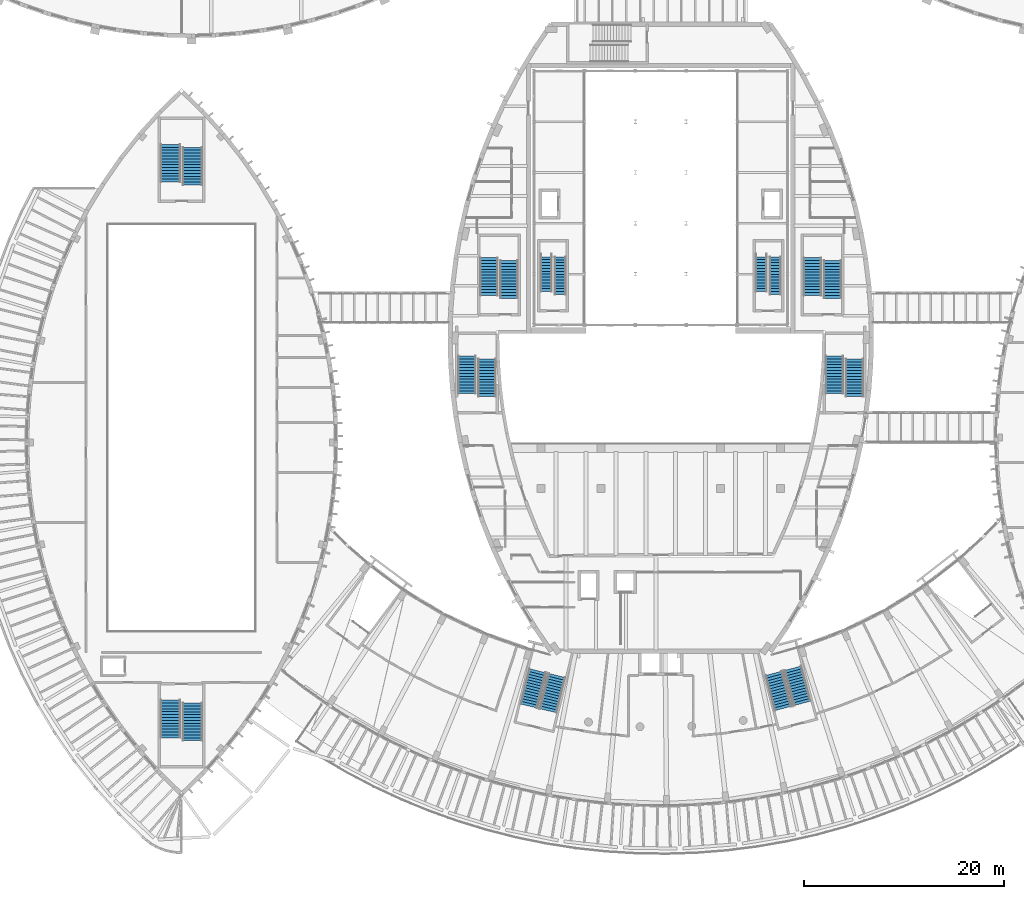
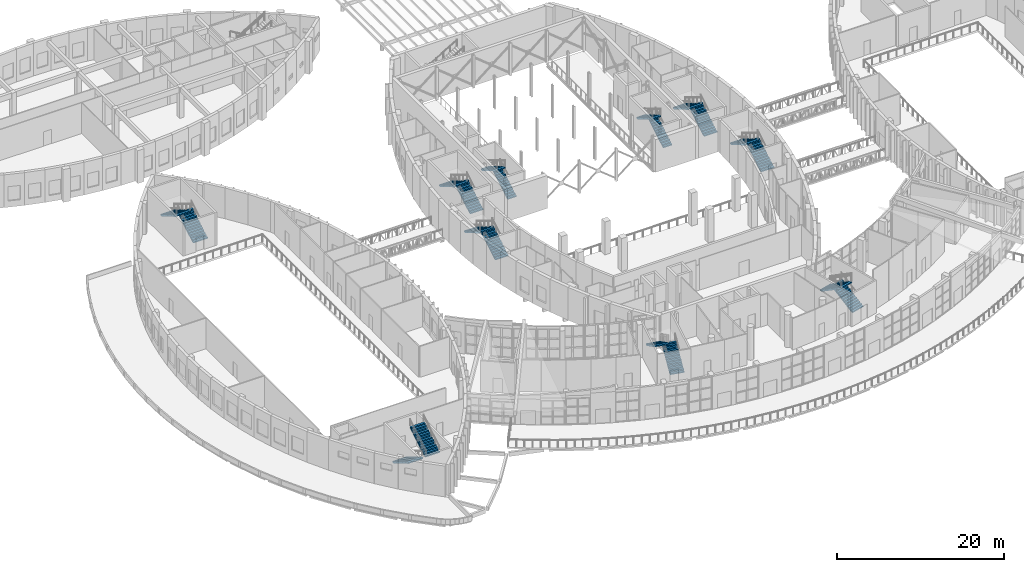
# One storey, part 81 of 93: 20 stair flights, 10 elements without a shape of their own.
"""IFC4 building model written with IfcOpenShell, lengths in metres."""

from ifc_helpers import new_model, si_unit, direction, frame, origin, place, context, subcontext, project, spatial, polyline, outline, extrude, material, type_object, element, aggregate, save


model = new_model("IFC4")

# Units and contexts
model_context = context("Model", 3, precision=1e-05, world=origin(), true_north=direction((0.0, 1.0)))
body_context = subcontext(model_context, "Body", "Model", "MODEL_VIEW")
ifc_project = project(units=[si_unit("LENGTHUNIT", "METRE"), si_unit("AREAUNIT", "SQUARE_METRE"), si_unit("VOLUMEUNIT", "CUBIC_METRE"), si_unit("PLANEANGLEUNIT", "RADIAN"), si_unit("MASSUNIT", "GRAM", prefix="KILO")], contexts=[model_context])

# Site, building, storey
site_placement = place(None, origin())
site = spatial("IfcSite", under=ifc_project, at=site_placement, CompositionType="ELEMENT")
building_placement = place(site_placement, origin())
building = spatial("IfcBuilding", under=site, at=building_placement, Name="Tide Square Theatres", CompositionType="ELEMENT")
storey_placement = place(building_placement, frame((0.0, 0.0, 5.39990234375)))
storey = spatial("IfcBuildingStorey", under=building, at=storey_placement, Name="L01", CompositionType="ELEMENT", Elevation=5.39990234375)

# Stair, stair flights
ifc_material_1 = material(Name="Concrete C35", Category="concrete")
stair_type_1 = type_object("IfcStairType", Name="Stair half turn 1200 wide, 28 risers, rise 4800", PredefinedType="HALF_TURN_STAIR", material=ifc_material_1)
stair_1_placement = place(storey_placement, origin())
stair_1 = element("IfcStair", 1, at=stair_1_placement, inside=storey, type_object=stair_type_1, Name="Fly Tower west stair", PredefinedType="HALF_TURN_STAIR")
ifc_material_2 = material(Name="Concrete C35", Category="concrete")
stair_flight_type_1 = type_object("IfcStairFlightType", Name="Flight 1200 wide 14 risers rise 4800", PredefinedType="STRAIGHT", material=ifc_material_2)
stair_flight_1_placement = place(storey_placement, frame((73.926025390625, 59.325927734375, 0.0), z_axis=(0.0, 0.0, 1.0), x_axis=(0.0, 1.0, 0.0)))
stair_flight_1 = element("IfcStairFlight", 2, at=stair_flight_1_placement, type_object=stair_flight_type_1, Name="ST-1200-4800 flight 1", NumberOfRisers=14, NumberOfTreads=13, PredefinedType="STRAIGHT", RiserHeight=0.171428571, TreadLength=0.29, context=body_context, shape_type="SweptSolid", body=[
    extrude(outline(polyline([(0.0, 0.0), (0.0, 0.17138671875), (0.2900390625, 0.17138671875), (0.2900390625, 0.3427734375), (0.580078125, 0.3427734375), (0.580078125, 0.514404296875), (0.8701171875, 0.514404296875), (0.8701171875, 0.685791015625), (1.159912109375, 0.685791015625), (1.159912109375, 0.857177734375), (1.449951171875, 0.857177734375), (1.449951171875, 1.028564453125), (1.739990234375, 1.028564453125), (1.739990234375, 1.199951171875), (2.030029296875, 1.199951171875), (2.030029296875, 1.371337890625), (2.320068359375, 1.371337890625), (2.320068359375, 1.54296875), (2.610107421875, 1.54296875), (2.610107421875, 1.71435546875), (2.89990234375, 1.71435546875), (2.89990234375, 1.8857421875), (3.18994140625, 1.8857421875), (3.18994140625, 2.05712890625), (3.47998046875, 2.05712890625), (3.47998046875, 2.228515625), (3.77001953125, 2.228515625), (3.77001953125, 2.39990234375), (3.77001953125, 2.054443359375), (0.294677734375, 0.0), (0.0, 0.0)])), frame((0.0, 0.60009765625, 0.0), z_axis=(0.0, -1.0, 0.0), x_axis=(1.0, 0.0, 0.0)), (0.0, 0.0, 1.0), 1.199951171875),
])
stair_flight_2_placement = place(storey_placement, frame((72.52587890625, 63.390869140625, 2.400146484375), z_axis=(0.0, 0.0, 1.0), x_axis=(0.0, -1.0, 0.0)))
stair_flight_2 = element("IfcStairFlight", 3, at=stair_flight_2_placement, type_object=stair_flight_type_1, Name="ST-1200-4800 flight 2", NumberOfRisers=14, NumberOfTreads=13, PredefinedType="STRAIGHT", RiserHeight=0.171428571, TreadLength=0.29, context=body_context, shape_type="SweptSolid", body=[
    extrude(outline(polyline([(0.0, 0.0), (0.0, 0.17138671875), (0.2900390625, 0.17138671875), (0.2900390625, 0.3427734375), (0.580078125, 0.3427734375), (0.580078125, 0.514404296875), (0.8701171875, 0.514404296875), (0.8701171875, 0.685791015625), (1.159912109375, 0.685791015625), (1.159912109375, 0.857177734375), (1.449951171875, 0.857177734375), (1.449951171875, 1.028564453125), (1.739990234375, 1.028564453125), (1.739990234375, 1.199951171875), (2.030029296875, 1.199951171875), (2.030029296875, 1.371337890625), (2.320068359375, 1.371337890625), (2.320068359375, 1.54296875), (2.610107421875, 1.54296875), (2.610107421875, 1.71435546875), (2.89990234375, 1.71435546875), (2.89990234375, 1.8857421875), (3.18994140625, 1.8857421875), (3.18994140625, 2.05712890625), (3.47998046875, 2.05712890625), (3.47998046875, 2.228515625), (3.77001953125, 2.228515625), (3.77001953125, 2.39990234375), (3.77001953125, 2.054443359375), (0.294677734375, 0.0), (0.0, 0.0)])), frame((0.0, 0.60009765625, 0.0), z_axis=(0.0, -1.0, 0.0), x_axis=(1.0, 0.0, 0.0)), (0.0, 0.0, 1.0), 1.199951171875),
])
aggregate(stair_1, [stair_flight_1, stair_flight_2])

stair_2_placement = place(storey_placement, origin())
stair_2 = element("IfcStair", 4, at=stair_2_placement, inside=storey, type_object=stair_type_1, Name="Fly Tower east stair", PredefinedType="HALF_TURN_STAIR")
stair_flight_3_placement = place(storey_placement, frame((95.47412109375, 59.325927734375, 0.0), z_axis=(0.0, 0.0, 1.0), x_axis=(0.0, 1.0, 0.0)))
stair_flight_3 = element("IfcStairFlight", 5, at=stair_flight_3_placement, type_object=stair_flight_type_1, Name="ST-1200-4800 flight 1", NumberOfRisers=14, NumberOfTreads=13, PredefinedType="STRAIGHT", RiserHeight=0.171428571, TreadLength=0.29, context=body_context, shape_type="SweptSolid", body=[
    extrude(outline(polyline([(0.0, 0.0), (0.0, 0.17138671875), (0.2900390625, 0.17138671875), (0.2900390625, 0.3427734375), (0.580078125, 0.3427734375), (0.580078125, 0.514404296875), (0.8701171875, 0.514404296875), (0.8701171875, 0.685791015625), (1.159912109375, 0.685791015625), (1.159912109375, 0.857177734375), (1.449951171875, 0.857177734375), (1.449951171875, 1.028564453125), (1.739990234375, 1.028564453125), (1.739990234375, 1.199951171875), (2.030029296875, 1.199951171875), (2.030029296875, 1.371337890625), (2.320068359375, 1.371337890625), (2.320068359375, 1.54296875), (2.610107421875, 1.54296875), (2.610107421875, 1.71435546875), (2.89990234375, 1.71435546875), (2.89990234375, 1.8857421875), (3.18994140625, 1.8857421875), (3.18994140625, 2.05712890625), (3.47998046875, 2.05712890625), (3.47998046875, 2.228515625), (3.77001953125, 2.228515625), (3.77001953125, 2.39990234375), (3.77001953125, 2.054443359375), (0.294677734375, 0.0), (0.0, 0.0)])), frame((0.0, 0.60009765625, 0.0), z_axis=(0.0, -1.0, 0.0), x_axis=(1.0, 0.0, 0.0)), (0.0, 0.0, 1.0), 1.199951171875),
])
stair_flight_4_placement = place(storey_placement, frame((94.073974609375, 63.390869140625, 2.400146484375), z_axis=(0.0, 0.0, 1.0), x_axis=(0.0, -1.0, 0.0)))
stair_flight_4 = element("IfcStairFlight", 6, at=stair_flight_4_placement, type_object=stair_flight_type_1, Name="ST-1200-4800 flight 2", NumberOfRisers=14, NumberOfTreads=13, PredefinedType="STRAIGHT", RiserHeight=0.171428571, TreadLength=0.29, context=body_context, shape_type="SweptSolid", body=[
    extrude(outline(polyline([(0.0, 0.0), (0.0, 0.17138671875), (0.2900390625, 0.17138671875), (0.2900390625, 0.3427734375), (0.580078125, 0.3427734375), (0.580078125, 0.514404296875), (0.8701171875, 0.514404296875), (0.8701171875, 0.685791015625), (1.159912109375, 0.685791015625), (1.159912109375, 0.857177734375), (1.449951171875, 0.857177734375), (1.449951171875, 1.028564453125), (1.739990234375, 1.028564453125), (1.739990234375, 1.199951171875), (2.030029296875, 1.199951171875), (2.030029296875, 1.371337890625), (2.320068359375, 1.371337890625), (2.320068359375, 1.54296875), (2.610107421875, 1.54296875), (2.610107421875, 1.71435546875), (2.89990234375, 1.71435546875), (2.89990234375, 1.8857421875), (3.18994140625, 1.8857421875), (3.18994140625, 2.05712890625), (3.47998046875, 2.05712890625), (3.47998046875, 2.228515625), (3.77001953125, 2.228515625), (3.77001953125, 2.39990234375), (3.77001953125, 2.054443359375), (0.294677734375, 0.0), (0.0, 0.0)])), frame((0.0, 0.60009765625, 0.0), z_axis=(0.0, -1.0, 0.0), x_axis=(1.0, 0.0, 0.0)), (0.0, 0.0, 1.0), 1.199951171875),
])
aggregate(stair_2, [stair_flight_3, stair_flight_4])

ifc_material_3 = material(Name="Concrete C35", Category="concrete")
stair_type_2 = type_object("IfcStairType", Name="Stair half turn 1800 wide, 28 risers, rise 4800", PredefinedType="HALF_TURN_STAIR", material=ifc_material_3)
stair_3_placement = place(storey_placement, origin())
stair_3 = element("IfcStair", 7, at=stair_3_placement, inside=storey, type_object=stair_type_2, Name="Main Theatre West Stair", PredefinedType="HALF_TURN_STAIR")
ifc_material_4 = material(Name="Concrete C35", Category="concrete")
stair_flight_type_2 = type_object("IfcStairFlightType", Name="Flight 1800 wide 14 risers rise 4800", PredefinedType="STRAIGHT", material=ifc_material_4)
stair_flight_5_placement = place(storey_placement, frame((68.800048828125, 58.949951171875, 0.0), z_axis=(0.0, 0.0, 1.0), x_axis=(0.0, 1.0, 0.0)))
stair_flight_5 = element("IfcStairFlight", 8, at=stair_flight_5_placement, type_object=stair_flight_type_2, Name="ST-1800-4800 flight 1", NumberOfRisers=14, NumberOfTreads=13, PredefinedType="STRAIGHT", RiserHeight=0.171428571, TreadLength=0.29, context=body_context, shape_type="SweptSolid", body=[
    extrude(outline(polyline([(0.0, 0.0), (0.0, 0.17138671875), (0.2900390625, 0.17138671875), (0.2900390625, 0.3427734375), (0.580078125, 0.3427734375), (0.580078125, 0.514404296875), (0.8701171875, 0.514404296875), (0.8701171875, 0.685791015625), (1.159912109375, 0.685791015625), (1.159912109375, 0.857177734375), (1.449951171875, 0.857177734375), (1.449951171875, 1.028564453125), (1.739990234375, 1.028564453125), (1.739990234375, 1.199951171875), (2.030029296875, 1.199951171875), (2.030029296875, 1.371337890625), (2.320068359375, 1.371337890625), (2.320068359375, 1.54296875), (2.610107421875, 1.54296875), (2.610107421875, 1.71435546875), (2.89990234375, 1.71435546875), (2.89990234375, 1.8857421875), (3.18994140625, 1.8857421875), (3.18994140625, 2.05712890625), (3.47998046875, 2.05712890625), (3.47998046875, 2.228515625), (3.77001953125, 2.228515625), (3.77001953125, 2.39990234375), (3.77001953125, 2.054443359375), (0.294677734375, 0.0), (0.0, 0.0)])), frame((0.0, 0.89990234375, 0.0), z_axis=(0.0, -1.0, 0.0), x_axis=(1.0, 0.0, 0.0)), (0.0, 0.0, 1.0), 1.800048828125),
])
stair_flight_6_placement = place(storey_placement, frame((66.800048828125, 63.014892578125, 2.400146484375), z_axis=(0.0, 0.0, 1.0), x_axis=(0.0, -1.0, 0.0)))
stair_flight_6 = element("IfcStairFlight", 9, at=stair_flight_6_placement, type_object=stair_flight_type_2, Name="ST-1800-4800 flight 2", NumberOfRisers=14, NumberOfTreads=13, PredefinedType="STRAIGHT", RiserHeight=0.171428571, TreadLength=0.29, context=body_context, shape_type="SweptSolid", body=[
    extrude(outline(polyline([(0.0, 0.0), (0.0, 0.17138671875), (0.2900390625, 0.17138671875), (0.2900390625, 0.3427734375), (0.580078125, 0.3427734375), (0.580078125, 0.514404296875), (0.8701171875, 0.514404296875), (0.8701171875, 0.685791015625), (1.159912109375, 0.685791015625), (1.159912109375, 0.857177734375), (1.449951171875, 0.857177734375), (1.449951171875, 1.028564453125), (1.739990234375, 1.028564453125), (1.739990234375, 1.199951171875), (2.030029296875, 1.199951171875), (2.030029296875, 1.371337890625), (2.320068359375, 1.371337890625), (2.320068359375, 1.54296875), (2.610107421875, 1.54296875), (2.610107421875, 1.71435546875), (2.89990234375, 1.71435546875), (2.89990234375, 1.8857421875), (3.18994140625, 1.8857421875), (3.18994140625, 2.05712890625), (3.47998046875, 2.05712890625), (3.47998046875, 2.228515625), (3.77001953125, 2.228515625), (3.77001953125, 2.39990234375), (3.77001953125, 2.054443359375), (0.294677734375, 0.0), (0.0, 0.0)])), frame((0.0, 0.89990234375, 0.0), z_axis=(0.0, -1.0, 0.0), x_axis=(1.0, 0.0, 0.0)), (0.0, 0.0, 1.0), 1.800048828125),
])
aggregate(stair_3, [stair_flight_5, stair_flight_6])

stair_4_placement = place(storey_placement, origin())
stair_4 = element("IfcStair", 10, at=stair_4_placement, inside=storey, type_object=stair_type_2, Name="Main Theatre East Stair", PredefinedType="HALF_TURN_STAIR")
stair_flight_7_placement = place(storey_placement, frame((101.199951171875, 58.949951171875, 0.0), z_axis=(0.0, 0.0, 1.0), x_axis=(0.0, 1.0, 0.0)))
stair_flight_7 = element("IfcStairFlight", 11, at=stair_flight_7_placement, type_object=stair_flight_type_2, Name="ST-1800-4800 flight 1", NumberOfRisers=14, NumberOfTreads=13, PredefinedType="STRAIGHT", RiserHeight=0.171428571, TreadLength=0.29, context=body_context, shape_type="SweptSolid", body=[
    extrude(outline(polyline([(0.0, 0.0), (0.0, 0.17138671875), (0.2900390625, 0.17138671875), (0.2900390625, 0.3427734375), (0.580078125, 0.3427734375), (0.580078125, 0.514404296875), (0.8701171875, 0.514404296875), (0.8701171875, 0.685791015625), (1.159912109375, 0.685791015625), (1.159912109375, 0.857177734375), (1.449951171875, 0.857177734375), (1.449951171875, 1.028564453125), (1.739990234375, 1.028564453125), (1.739990234375, 1.199951171875), (2.030029296875, 1.199951171875), (2.030029296875, 1.371337890625), (2.320068359375, 1.371337890625), (2.320068359375, 1.54296875), (2.610107421875, 1.54296875), (2.610107421875, 1.71435546875), (2.89990234375, 1.71435546875), (2.89990234375, 1.8857421875), (3.18994140625, 1.8857421875), (3.18994140625, 2.05712890625), (3.47998046875, 2.05712890625), (3.47998046875, 2.228515625), (3.77001953125, 2.228515625), (3.77001953125, 2.39990234375), (3.77001953125, 2.054443359375), (0.294677734375, 0.0), (0.0, 0.0)])), frame((0.0, 0.89990234375, 0.0), z_axis=(0.0, -1.0, 0.0), x_axis=(1.0, 0.0, 0.0)), (0.0, 0.0, 1.0), 1.800048828125),
])
stair_flight_8_placement = place(storey_placement, frame((99.199951171875, 63.014892578125, 2.400146484375), z_axis=(0.0, 0.0, 1.0), x_axis=(0.0, -1.0, 0.0)))
stair_flight_8 = element("IfcStairFlight", 12, at=stair_flight_8_placement, type_object=stair_flight_type_2, Name="ST-1800-4800 flight 2", NumberOfRisers=14, NumberOfTreads=13, PredefinedType="STRAIGHT", RiserHeight=0.171428571, TreadLength=0.29, context=body_context, shape_type="SweptSolid", body=[
    extrude(outline(polyline([(0.0, 0.0), (0.0, 0.17138671875), (0.2900390625, 0.17138671875), (0.2900390625, 0.3427734375), (0.580078125, 0.3427734375), (0.580078125, 0.514404296875), (0.8701171875, 0.514404296875), (0.8701171875, 0.685791015625), (1.159912109375, 0.685791015625), (1.159912109375, 0.857177734375), (1.449951171875, 0.857177734375), (1.449951171875, 1.028564453125), (1.739990234375, 1.028564453125), (1.739990234375, 1.199951171875), (2.030029296875, 1.199951171875), (2.030029296875, 1.371337890625), (2.320068359375, 1.371337890625), (2.320068359375, 1.54296875), (2.610107421875, 1.54296875), (2.610107421875, 1.71435546875), (2.89990234375, 1.71435546875), (2.89990234375, 1.8857421875), (3.18994140625, 1.8857421875), (3.18994140625, 2.05712890625), (3.47998046875, 2.05712890625), (3.47998046875, 2.228515625), (3.77001953125, 2.228515625), (3.77001953125, 2.39990234375), (3.77001953125, 2.054443359375), (0.294677734375, 0.0), (0.0, 0.0)])), frame((0.0, 0.89990234375, 0.0), z_axis=(0.0, -1.0, 0.0), x_axis=(1.0, 0.0, 0.0)), (0.0, 0.0, 1.0), 1.800048828125),
])
aggregate(stair_4, [stair_flight_7, stair_flight_8])

stair_5_placement = place(storey_placement, origin())
stair_5 = element("IfcStair", 13, at=stair_5_placement, inside=storey, type_object=stair_type_2, Name="Main Theatre West Circle Stair", PredefinedType="HALF_TURN_STAIR")
stair_flight_9_placement = place(storey_placement, frame((66.60009765625, 49.10009765625, 0.0), z_axis=(0.0, 0.0, 1.0), x_axis=(0.0, 1.0, 0.0)))
stair_flight_9 = element("IfcStairFlight", 14, at=stair_flight_9_placement, type_object=stair_flight_type_2, Name="ST-1800-4800 flight 1", NumberOfRisers=14, NumberOfTreads=13, PredefinedType="STRAIGHT", RiserHeight=0.171428571, TreadLength=0.29, context=body_context, shape_type="SweptSolid", body=[
    extrude(outline(polyline([(0.0, 0.0), (0.0, 0.17138671875), (0.2900390625, 0.17138671875), (0.2900390625, 0.3427734375), (0.580078125, 0.3427734375), (0.580078125, 0.514404296875), (0.8701171875, 0.514404296875), (0.8701171875, 0.685791015625), (1.159912109375, 0.685791015625), (1.159912109375, 0.857177734375), (1.449951171875, 0.857177734375), (1.449951171875, 1.028564453125), (1.739990234375, 1.028564453125), (1.739990234375, 1.199951171875), (2.030029296875, 1.199951171875), (2.030029296875, 1.371337890625), (2.320068359375, 1.371337890625), (2.320068359375, 1.54296875), (2.610107421875, 1.54296875), (2.610107421875, 1.71435546875), (2.89990234375, 1.71435546875), (2.89990234375, 1.8857421875), (3.18994140625, 1.8857421875), (3.18994140625, 2.05712890625), (3.47998046875, 2.05712890625), (3.47998046875, 2.228515625), (3.77001953125, 2.228515625), (3.77001953125, 2.39990234375), (3.77001953125, 2.054443359375), (0.294677734375, 0.0), (0.0, 0.0)])), frame((0.0, 0.89990234375, 0.0), z_axis=(0.0, -1.0, 0.0), x_axis=(1.0, 0.0, 0.0)), (0.0, 0.0, 1.0), 1.800048828125),
])
stair_flight_10_placement = place(storey_placement, frame((64.60009765625, 53.164794921875, 2.400146484375), z_axis=(0.0, 0.0, 1.0), x_axis=(0.0, -1.0, 0.0)))
stair_flight_10 = element("IfcStairFlight", 15, at=stair_flight_10_placement, type_object=stair_flight_type_2, Name="ST-1800-4800 flight 2", NumberOfRisers=14, NumberOfTreads=13, PredefinedType="STRAIGHT", RiserHeight=0.171428571, TreadLength=0.29, context=body_context, shape_type="SweptSolid", body=[
    extrude(outline(polyline([(0.0, 0.0), (0.0, 0.17138671875), (0.2900390625, 0.17138671875), (0.2900390625, 0.3427734375), (0.580078125, 0.3427734375), (0.580078125, 0.514404296875), (0.8701171875, 0.514404296875), (0.8701171875, 0.685791015625), (1.159912109375, 0.685791015625), (1.159912109375, 0.857177734375), (1.449951171875, 0.857177734375), (1.449951171875, 1.028564453125), (1.739990234375, 1.028564453125), (1.739990234375, 1.199951171875), (2.030029296875, 1.199951171875), (2.030029296875, 1.371337890625), (2.320068359375, 1.371337890625), (2.320068359375, 1.54296875), (2.610107421875, 1.54296875), (2.610107421875, 1.71435546875), (2.89990234375, 1.71435546875), (2.89990234375, 1.8857421875), (3.18994140625, 1.8857421875), (3.18994140625, 2.05712890625), (3.47998046875, 2.05712890625), (3.47998046875, 2.228515625), (3.77001953125, 2.228515625), (3.77001953125, 2.39990234375), (3.77001953125, 2.054443359375), (0.294677734375, 0.0), (0.0, 0.0)])), frame((0.0, 0.89990234375, 0.0), z_axis=(0.0, -1.0, 0.0), x_axis=(1.0, 0.0, 0.0)), (0.0, 0.0, 1.0), 1.800048828125),
])
aggregate(stair_5, [stair_flight_9, stair_flight_10])

stair_6_placement = place(storey_placement, origin())
stair_6 = element("IfcStair", 16, at=stair_6_placement, inside=storey, type_object=stair_type_2, Name="Main Theatre East Circle Stair", PredefinedType="HALF_TURN_STAIR")
stair_flight_11_placement = place(storey_placement, frame((103.39990234375, 49.10009765625, 0.0), z_axis=(0.0, 0.0, 1.0), x_axis=(0.0, 1.0, 0.0)))
stair_flight_11 = element("IfcStairFlight", 17, at=stair_flight_11_placement, type_object=stair_flight_type_2, Name="ST-1800-4800 flight 1", NumberOfRisers=14, NumberOfTreads=13, PredefinedType="STRAIGHT", RiserHeight=0.171428571, TreadLength=0.29, context=body_context, shape_type="SweptSolid", body=[
    extrude(outline(polyline([(0.0, 0.0), (0.0, 0.17138671875), (0.2900390625, 0.17138671875), (0.2900390625, 0.3427734375), (0.580078125, 0.3427734375), (0.580078125, 0.514404296875), (0.8701171875, 0.514404296875), (0.8701171875, 0.685791015625), (1.159912109375, 0.685791015625), (1.159912109375, 0.857177734375), (1.449951171875, 0.857177734375), (1.449951171875, 1.028564453125), (1.739990234375, 1.028564453125), (1.739990234375, 1.199951171875), (2.030029296875, 1.199951171875), (2.030029296875, 1.371337890625), (2.320068359375, 1.371337890625), (2.320068359375, 1.54296875), (2.610107421875, 1.54296875), (2.610107421875, 1.71435546875), (2.89990234375, 1.71435546875), (2.89990234375, 1.8857421875), (3.18994140625, 1.8857421875), (3.18994140625, 2.05712890625), (3.47998046875, 2.05712890625), (3.47998046875, 2.228515625), (3.77001953125, 2.228515625), (3.77001953125, 2.39990234375), (3.77001953125, 2.054443359375), (0.294677734375, 0.0), (0.0, 0.0)])), frame((0.0, 0.89990234375, 0.0), z_axis=(0.0, -1.0, 0.0), x_axis=(1.0, 0.0, 0.0)), (0.0, 0.0, 1.0), 1.800048828125),
])
stair_flight_12_placement = place(storey_placement, frame((101.39990234375, 53.164794921875, 2.400146484375), z_axis=(0.0, 0.0, 1.0), x_axis=(0.0, -1.0, 0.0)))
stair_flight_12 = element("IfcStairFlight", 18, at=stair_flight_12_placement, type_object=stair_flight_type_2, Name="ST-1800-4800 flight 2", NumberOfRisers=14, NumberOfTreads=13, PredefinedType="STRAIGHT", RiserHeight=0.171428571, TreadLength=0.29, context=body_context, shape_type="SweptSolid", body=[
    extrude(outline(polyline([(0.0, 0.0), (0.0, 0.17138671875), (0.2900390625, 0.17138671875), (0.2900390625, 0.3427734375), (0.580078125, 0.3427734375), (0.580078125, 0.514404296875), (0.8701171875, 0.514404296875), (0.8701171875, 0.685791015625), (1.159912109375, 0.685791015625), (1.159912109375, 0.857177734375), (1.449951171875, 0.857177734375), (1.449951171875, 1.028564453125), (1.739990234375, 1.028564453125), (1.739990234375, 1.199951171875), (2.030029296875, 1.199951171875), (2.030029296875, 1.371337890625), (2.320068359375, 1.371337890625), (2.320068359375, 1.54296875), (2.610107421875, 1.54296875), (2.610107421875, 1.71435546875), (2.89990234375, 1.71435546875), (2.89990234375, 1.8857421875), (3.18994140625, 1.8857421875), (3.18994140625, 2.05712890625), (3.47998046875, 2.05712890625), (3.47998046875, 2.228515625), (3.77001953125, 2.228515625), (3.77001953125, 2.39990234375), (3.77001953125, 2.054443359375), (0.294677734375, 0.0), (0.0, 0.0)])), frame((0.0, 0.89990234375, 0.0), z_axis=(0.0, -1.0, 0.0), x_axis=(1.0, 0.0, 0.0)), (0.0, 0.0, 1.0), 1.800048828125),
])
aggregate(stair_6, [stair_flight_11, stair_flight_12])

ifc_material_5 = material(Name="Concrete C35", Category="concrete")
stair_type_3 = type_object("IfcStairType", Name="Stair half turn 2000 wide, 28 risers, rise 4800", PredefinedType="HALF_TURN_STAIR", material=ifc_material_5)
stair_7_placement = place(storey_placement, origin())
stair_7 = element("IfcStair", 19, at=stair_7_placement, inside=storey, type_object=stair_type_3, Name="Studio Theatre Stair S1", PredefinedType="HALF_TURN_STAIR")
ifc_material_6 = material(Name="Concrete C35", Category="concrete")
stair_flight_type_3 = type_object("IfcStairFlightType", Name="Flight 2000 wide 14 risers rise 4800", PredefinedType="STRAIGHT", material=ifc_material_6)
stair_flight_13_placement = place(storey_placement, frame((37.10009765625, 70.300048828125, 0.0), z_axis=(0.0, 0.0, 1.0), x_axis=(0.0, 1.0, 0.0)))
stair_flight_13 = element("IfcStairFlight", 20, at=stair_flight_13_placement, type_object=stair_flight_type_3, Name="ST-2000-4800 flight 1", NumberOfRisers=14, NumberOfTreads=13, PredefinedType="STRAIGHT", RiserHeight=0.171428571, TreadLength=0.29, context=body_context, shape_type="SweptSolid", body=[
    extrude(outline(polyline([(0.0, 0.0), (0.0, 0.17138671875), (0.2900390625, 0.17138671875), (0.2900390625, 0.3427734375), (0.580078125, 0.3427734375), (0.580078125, 0.514404296875), (0.8701171875, 0.514404296875), (0.8701171875, 0.685791015625), (1.159912109375, 0.685791015625), (1.159912109375, 0.857177734375), (1.449951171875, 0.857177734375), (1.449951171875, 1.028564453125), (1.739990234375, 1.028564453125), (1.739990234375, 1.199951171875), (2.030029296875, 1.199951171875), (2.030029296875, 1.371337890625), (2.320068359375, 1.371337890625), (2.320068359375, 1.54296875), (2.610107421875, 1.54296875), (2.610107421875, 1.71435546875), (2.89990234375, 1.71435546875), (2.89990234375, 1.8857421875), (3.18994140625, 1.8857421875), (3.18994140625, 2.05712890625), (3.47998046875, 2.05712890625), (3.47998046875, 2.228515625), (3.77001953125, 2.228515625), (3.77001953125, 2.39990234375), (3.77001953125, 2.054443359375), (0.294677734375, 0.0), (0.0, 0.0)])), frame((0.0, 1.0, 0.0), z_axis=(0.0, -1.0, 0.0), x_axis=(1.0, 0.0, 0.0)), (0.0, 0.0, 1.0), 2.0),
])
stair_flight_14_placement = place(storey_placement, frame((34.89990234375, 74.36474609375, 2.400146484375), z_axis=(0.0, 0.0, 1.0), x_axis=(0.0, -1.0, 0.0)))
stair_flight_14 = element("IfcStairFlight", 21, at=stair_flight_14_placement, type_object=stair_flight_type_3, Name="ST-2000-4800 flight 2", NumberOfRisers=14, NumberOfTreads=13, PredefinedType="STRAIGHT", RiserHeight=0.171428571, TreadLength=0.29, context=body_context, shape_type="SweptSolid", body=[
    extrude(outline(polyline([(0.0, 0.0), (0.0, 0.17138671875), (0.2900390625, 0.17138671875), (0.2900390625, 0.3427734375), (0.580078125, 0.3427734375), (0.580078125, 0.514404296875), (0.8701171875, 0.514404296875), (0.8701171875, 0.685791015625), (1.159912109375, 0.685791015625), (1.159912109375, 0.857177734375), (1.449951171875, 0.857177734375), (1.449951171875, 1.028564453125), (1.739990234375, 1.028564453125), (1.739990234375, 1.199951171875), (2.030029296875, 1.199951171875), (2.030029296875, 1.371337890625), (2.320068359375, 1.371337890625), (2.320068359375, 1.54296875), (2.610107421875, 1.54296875), (2.610107421875, 1.71435546875), (2.89990234375, 1.71435546875), (2.89990234375, 1.8857421875), (3.18994140625, 1.8857421875), (3.18994140625, 2.05712890625), (3.47998046875, 2.05712890625), (3.47998046875, 2.228515625), (3.77001953125, 2.228515625), (3.77001953125, 2.39990234375), (3.77001953125, 2.054443359375), (0.294677734375, 0.0), (0.0, 0.0)])), frame((0.0, 1.0, 0.0), z_axis=(0.0, -1.0, 0.0), x_axis=(1.0, 0.0, 0.0)), (0.0, 0.0, 1.0), 2.0),
])
aggregate(stair_7, [stair_flight_13, stair_flight_14])

stair_8_placement = place(storey_placement, origin())
stair_8 = element("IfcStair", 22, at=stair_8_placement, inside=storey, type_object=stair_type_3, Name="Studio Theatre Stair S2", PredefinedType="HALF_TURN_STAIR")
stair_flight_15_placement = place(storey_placement, frame((34.89990234375, 18.699951171875, 0.0), z_axis=(0.0, 0.0, 1.0), x_axis=(0.0, -1.0, 0.0)))
stair_flight_15 = element("IfcStairFlight", 23, at=stair_flight_15_placement, type_object=stair_flight_type_3, Name="ST-2000-4800 flight 1", NumberOfRisers=14, NumberOfTreads=13, PredefinedType="STRAIGHT", RiserHeight=0.171428571, TreadLength=0.29, context=body_context, shape_type="SweptSolid", body=[
    extrude(outline(polyline([(0.0, 0.0), (0.0, 0.17138671875), (0.2900390625, 0.17138671875), (0.2900390625, 0.3427734375), (0.580078125, 0.3427734375), (0.580078125, 0.514404296875), (0.8701171875, 0.514404296875), (0.8701171875, 0.685791015625), (1.159912109375, 0.685791015625), (1.159912109375, 0.857177734375), (1.449951171875, 0.857177734375), (1.449951171875, 1.028564453125), (1.739990234375, 1.028564453125), (1.739990234375, 1.199951171875), (2.030029296875, 1.199951171875), (2.030029296875, 1.371337890625), (2.320068359375, 1.371337890625), (2.320068359375, 1.54296875), (2.610107421875, 1.54296875), (2.610107421875, 1.71435546875), (2.89990234375, 1.71435546875), (2.89990234375, 1.8857421875), (3.18994140625, 1.8857421875), (3.18994140625, 2.05712890625), (3.47998046875, 2.05712890625), (3.47998046875, 2.228515625), (3.77001953125, 2.228515625), (3.77001953125, 2.39990234375), (3.77001953125, 2.054443359375), (0.294677734375, 0.0), (0.0, 0.0)])), frame((0.0, 1.0, 0.0), z_axis=(0.0, -1.0, 0.0), x_axis=(1.0, 0.0, 0.0)), (0.0, 0.0, 1.0), 2.0),
])
stair_flight_16_placement = place(storey_placement, frame((37.10009765625, 14.63525390625, 2.400146484375), z_axis=(0.0, 0.0, 1.0), x_axis=(0.0, 1.0, 0.0)))
stair_flight_16 = element("IfcStairFlight", 24, at=stair_flight_16_placement, type_object=stair_flight_type_3, Name="ST-2000-4800 flight 2", NumberOfRisers=14, NumberOfTreads=13, PredefinedType="STRAIGHT", RiserHeight=0.171428571, TreadLength=0.29, context=body_context, shape_type="SweptSolid", body=[
    extrude(outline(polyline([(0.0, 0.0), (0.0, 0.17138671875), (0.2900390625, 0.17138671875), (0.2900390625, 0.3427734375), (0.580078125, 0.3427734375), (0.580078125, 0.514404296875), (0.8701171875, 0.514404296875), (0.8701171875, 0.685791015625), (1.159912109375, 0.685791015625), (1.159912109375, 0.857177734375), (1.449951171875, 0.857177734375), (1.449951171875, 1.028564453125), (1.739990234375, 1.028564453125), (1.739990234375, 1.199951171875), (2.030029296875, 1.199951171875), (2.030029296875, 1.371337890625), (2.320068359375, 1.371337890625), (2.320068359375, 1.54296875), (2.610107421875, 1.54296875), (2.610107421875, 1.71435546875), (2.89990234375, 1.71435546875), (2.89990234375, 1.8857421875), (3.18994140625, 1.8857421875), (3.18994140625, 2.05712890625), (3.47998046875, 2.05712890625), (3.47998046875, 2.228515625), (3.77001953125, 2.228515625), (3.77001953125, 2.39990234375), (3.77001953125, 2.054443359375), (0.294677734375, 0.0), (0.0, 0.0)])), frame((0.0, 1.0, 0.0), z_axis=(0.0, -1.0, 0.0), x_axis=(1.0, 0.0, 0.0)), (0.0, 0.0, 1.0), 2.0),
])
aggregate(stair_8, [stair_flight_15, stair_flight_16])

ifc_material_7 = material(Name="Concrete C35", Category="concrete")
stair_type_4 = type_object("IfcStairType", Name="Foyer exit stair half turn 1200 wide", PredefinedType="HALF_TURN_STAIR", material=ifc_material_7)
stair_9_placement = place(storey_placement, origin())
stair_9 = element("IfcStair", 25, at=stair_9_placement, inside=storey, type_object=stair_type_4, Name="L01 Exit stair F3", PredefinedType="HALF_TURN_STAIR")
ifc_material_8 = material(Name="Concrete C35", Category="concrete")
stair_flight_type_4 = type_object("IfcStairFlightType", Name="Foyer exit flight 1200 wide 14 risers", PredefinedType="STRAIGHT", material=ifc_material_8)
stair_flight_17_placement = place(storey_placement, frame((72.7099609375, 17.640869140625, 0.0), z_axis=(0.0, 0.0, 1.0), x_axis=(0.2371545461, 0.971471935397, 0.0)))
stair_flight_17 = element("IfcStairFlight", 26, at=stair_flight_17_placement, type_object=stair_flight_type_4, Name="F3 flight 1", NumberOfRisers=14, NumberOfTreads=13, PredefinedType="STRAIGHT", RiserHeight=0.171428571, TreadLength=0.28, context=body_context, shape_type="SweptSolid", body=[
    extrude(outline(polyline([(0.0, 0.0), (0.0, 0.17138671875), (0.280029296875, 0.17138671875), (0.280029296875, 0.3427734375), (0.56005859375, 0.3427734375), (0.56005859375, 0.514404296875), (0.840087890625, 0.514404296875), (0.840087890625, 0.685791015625), (1.1201171875, 0.685791015625), (1.1201171875, 0.857177734375), (1.39990234375, 0.857177734375), (1.39990234375, 1.028564453125), (1.679931640625, 1.028564453125), (1.679931640625, 1.199951171875), (1.9599609375, 1.199951171875), (1.9599609375, 1.371337890625), (2.239990234375, 1.371337890625), (2.239990234375, 1.54296875), (2.52001953125, 1.54296875), (2.52001953125, 1.71435546875), (2.800048828125, 1.71435546875), (2.800048828125, 1.8857421875), (3.080078125, 1.8857421875), (3.080078125, 2.05712890625), (3.360107421875, 2.05712890625), (3.360107421875, 2.228515625), (3.639892578125, 2.228515625), (3.639892578125, 2.39990234375), (3.639892578125, 2.052734375), (0.287109375, 0.0), (0.0, 0.0)])), frame((0.0, 0.89990234375, 0.0), z_axis=(0.0, -1.0, 0.0), x_axis=(1.0, 0.0, 0.0)), (0.0, 0.0, 1.0), 1.800048828125),
])
stair_flight_18_placement = place(storey_placement, frame((71.678955078125, 21.639404296875, 2.400146484375), z_axis=(0.0, 0.0, 1.0), x_axis=(-0.2371545461, -0.971471935397, 0.0)))
stair_flight_18 = element("IfcStairFlight", 27, at=stair_flight_18_placement, type_object=stair_flight_type_4, Name="F3 flight 2", NumberOfRisers=14, NumberOfTreads=13, PredefinedType="STRAIGHT", RiserHeight=0.171428571, TreadLength=0.28, context=body_context, shape_type="SweptSolid", body=[
    extrude(outline(polyline([(0.0, 0.0), (0.0, 0.17138671875), (0.280029296875, 0.17138671875), (0.280029296875, 0.3427734375), (0.56005859375, 0.3427734375), (0.56005859375, 0.514404296875), (0.840087890625, 0.514404296875), (0.840087890625, 0.685791015625), (1.1201171875, 0.685791015625), (1.1201171875, 0.857177734375), (1.39990234375, 0.857177734375), (1.39990234375, 1.028564453125), (1.679931640625, 1.028564453125), (1.679931640625, 1.199951171875), (1.9599609375, 1.199951171875), (1.9599609375, 1.371337890625), (2.239990234375, 1.371337890625), (2.239990234375, 1.54296875), (2.52001953125, 1.54296875), (2.52001953125, 1.71435546875), (2.800048828125, 1.71435546875), (2.800048828125, 1.8857421875), (3.080078125, 1.8857421875), (3.080078125, 2.05712890625), (3.360107421875, 2.05712890625), (3.360107421875, 2.228515625), (3.639892578125, 2.228515625), (3.639892578125, 2.39990234375), (3.639892578125, 2.052734375), (0.287109375, 0.0), (0.0, 0.0)])), frame((0.0, 0.89990234375, 0.0), z_axis=(0.0, -1.0, 0.0), x_axis=(1.0, 0.0, 0.0)), (0.0, 0.0, 1.0), 1.800048828125),
])
aggregate(stair_9, [stair_flight_17, stair_flight_18])

stair_10_placement = place(storey_placement, origin())
stair_10 = element("IfcStair", 28, at=stair_10_placement, inside=storey, type_object=stair_type_4, Name="L01 Exit stair F4", PredefinedType="HALF_TURN_STAIR")
stair_flight_19_placement = place(storey_placement, frame((98.168212890625, 18.37353515625, 0.0), z_axis=(0.0, 0.0, 1.0), x_axis=(-0.256311388879, 0.966594264379, 0.0)))
stair_flight_19 = element("IfcStairFlight", 29, at=stair_flight_19_placement, type_object=stair_flight_type_4, Name="F4 flight 1", NumberOfRisers=14, NumberOfTreads=13, PredefinedType="STRAIGHT", RiserHeight=0.171428571, TreadLength=0.28, context=body_context, shape_type="SweptSolid", body=[
    extrude(outline(polyline([(0.0, 0.0), (0.0, 0.17138671875), (0.280029296875, 0.17138671875), (0.280029296875, 0.3427734375), (0.56005859375, 0.3427734375), (0.56005859375, 0.514404296875), (0.840087890625, 0.514404296875), (0.840087890625, 0.685791015625), (1.1201171875, 0.685791015625), (1.1201171875, 0.857177734375), (1.39990234375, 0.857177734375), (1.39990234375, 1.028564453125), (1.679931640625, 1.028564453125), (1.679931640625, 1.199951171875), (1.9599609375, 1.199951171875), (1.9599609375, 1.371337890625), (2.239990234375, 1.371337890625), (2.239990234375, 1.54296875), (2.52001953125, 1.54296875), (2.52001953125, 1.71435546875), (2.800048828125, 1.71435546875), (2.800048828125, 1.8857421875), (3.080078125, 1.8857421875), (3.080078125, 2.05712890625), (3.360107421875, 2.05712890625), (3.360107421875, 2.228515625), (3.639892578125, 2.228515625), (3.639892578125, 2.39990234375), (3.639892578125, 2.052734375), (0.287109375, 0.0), (0.0, 0.0)])), frame((0.0, 0.89990234375, 0.0), z_axis=(0.0, -1.0, 0.0), x_axis=(1.0, 0.0, 0.0)), (0.0, 0.0, 1.0), 1.800048828125),
])
stair_flight_20_placement = place(storey_placement, frame((95.350341796875, 21.392333984375, 2.400146484375), z_axis=(0.0, 0.0, 1.0), x_axis=(0.256311388879, -0.966594264379, 0.0)))
stair_flight_20 = element("IfcStairFlight", 30, at=stair_flight_20_placement, type_object=stair_flight_type_4, Name="F4 flight 2", NumberOfRisers=14, NumberOfTreads=13, PredefinedType="STRAIGHT", RiserHeight=0.171428571, TreadLength=0.28, context=body_context, shape_type="SweptSolid", body=[
    extrude(outline(polyline([(0.0, 0.0), (0.0, 0.17138671875), (0.280029296875, 0.17138671875), (0.280029296875, 0.3427734375), (0.56005859375, 0.3427734375), (0.56005859375, 0.514404296875), (0.840087890625, 0.514404296875), (0.840087890625, 0.685791015625), (1.1201171875, 0.685791015625), (1.1201171875, 0.857177734375), (1.39990234375, 0.857177734375), (1.39990234375, 1.028564453125), (1.679931640625, 1.028564453125), (1.679931640625, 1.199951171875), (1.9599609375, 1.199951171875), (1.9599609375, 1.371337890625), (2.239990234375, 1.371337890625), (2.239990234375, 1.54296875), (2.52001953125, 1.54296875), (2.52001953125, 1.71435546875), (2.800048828125, 1.71435546875), (2.800048828125, 1.8857421875), (3.080078125, 1.8857421875), (3.080078125, 2.05712890625), (3.360107421875, 2.05712890625), (3.360107421875, 2.228515625), (3.639892578125, 2.228515625), (3.639892578125, 2.39990234375), (3.639892578125, 2.052734375), (0.287109375, 0.0), (0.0, 0.0)])), frame((0.0, 0.89990234375, 0.0), z_axis=(0.0, -1.0, 0.0), x_axis=(1.0, 0.0, 0.0)), (0.0, 0.0, 1.0), 1.800048828125),
])
aggregate(stair_10, [stair_flight_19, stair_flight_20])

save(model, "model.ifc")
